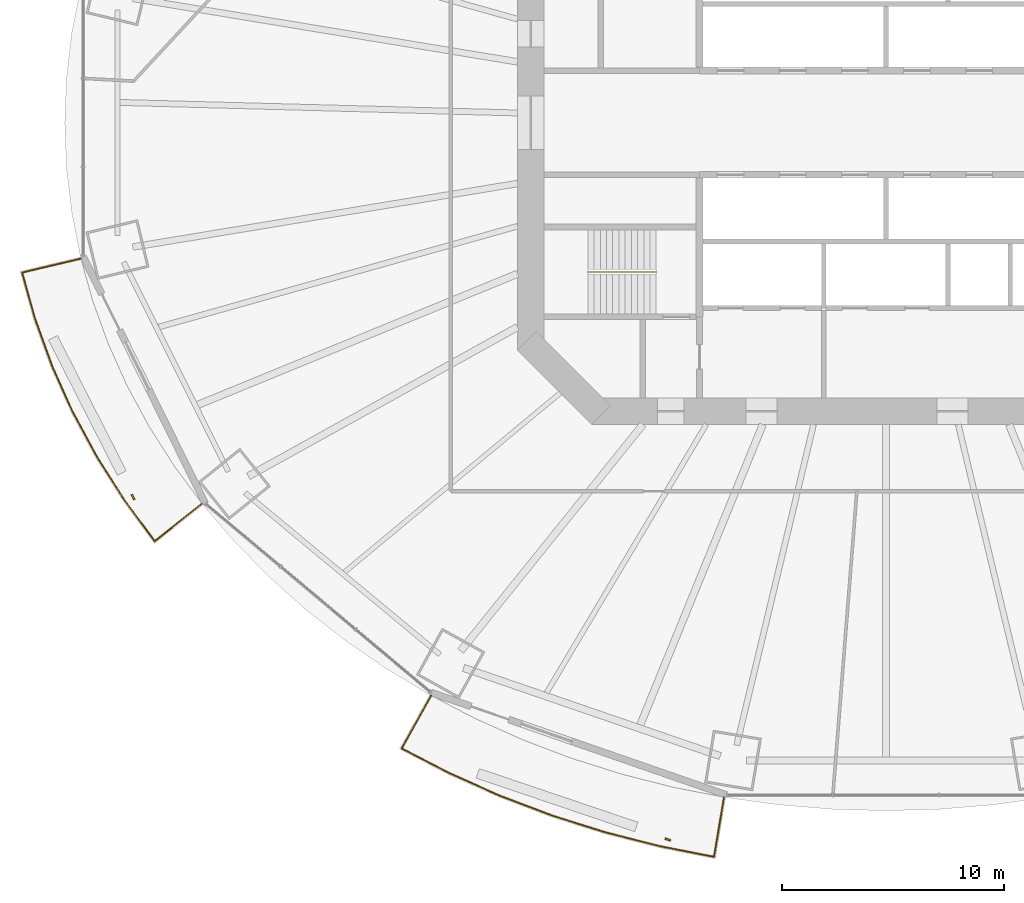
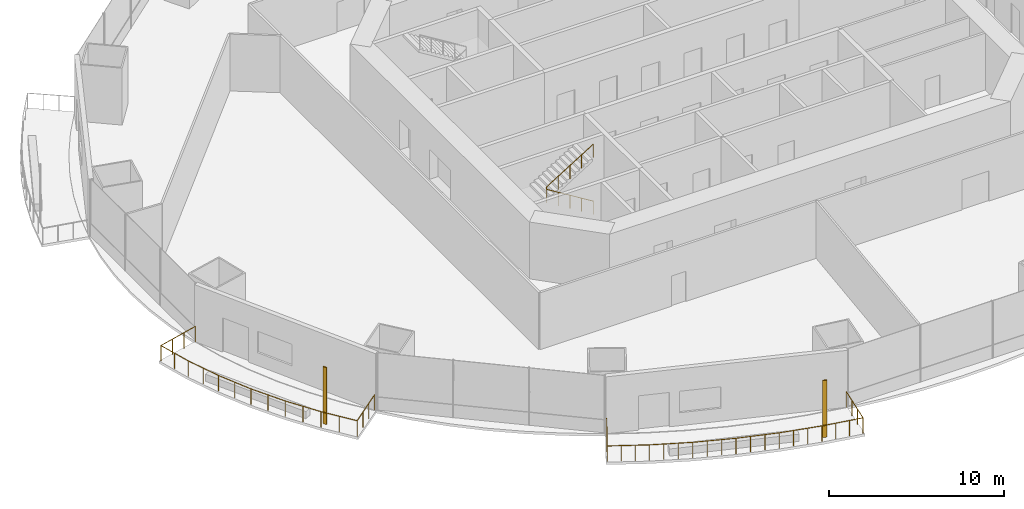
# One storey, part 18 of 23: 3 railings, 2 shading devices.
"""IFC4 building model written with IfcOpenShell, lengths in metres."""

from ifc_helpers import new_model, si_unit, direction, frame, origin, origin_2d, place, context, subcontext, project, spatial, rectangle, circle, extrude, material, material_profile, profile_set, type_object, element, save


model = new_model("IFC4")

# Units and contexts
model_context = context("Model", 3, precision=1e-05, world=origin(), true_north=direction((0.0, 1.0)))
body_context = subcontext(model_context, "Body", "Model", "MODEL_VIEW")
ifc_project = project(units=[si_unit("LENGTHUNIT", "METRE"), si_unit("AREAUNIT", "SQUARE_METRE"), si_unit("VOLUMEUNIT", "CUBIC_METRE"), si_unit("PLANEANGLEUNIT", "RADIAN"), si_unit("MASSUNIT", "GRAM", prefix="KILO")], contexts=[model_context])

# Site, building, storey
site_placement = place(None, origin())
site = spatial("IfcSite", under=ifc_project, at=site_placement, CompositionType="ELEMENT")
building_placement = place(site_placement, origin())
building = spatial("IfcBuilding", under=site, at=building_placement, Name="Marenthal Gate Tower", CompositionType="ELEMENT")
storey_placement = place(building_placement, frame((0.0, 0.0, 41.300048828125)))
storey = spatial("IfcBuildingStorey", under=building, at=storey_placement, Name="L06", CompositionType="ELEMENT", Elevation=41.300048828125)

# Railings
ifc_material_1 = material(Name="Stainless steel", Category="steel")
railing_type_1 = type_object("IfcRailingType", Name="Balcony guard 1100", PredefinedType="GUARDRAIL", material=ifc_material_1)
railing_1_placement = place(storey_placement, frame((-30.814208984375, -17.16015625, 0.0)))
element("IfcRailing", 1, at=railing_1_placement, inside=storey, type_object=railing_type_1, Name="Balcony guard L06 bay 9", PredefinedType="GUARDRAIL", context=body_context, shape_type="SweptSolid", body=[
    extrude(circle(Radius=0.02392578125, at=origin_2d()), frame((0.0, 0.0, 1.076171875), z_axis=(-0.781982350804, -0.623126760201, -0.014718823084), x_axis=(0.62319426943, -0.782067070365, 0.0)), (0.0, 0.0, 1.0), 2.72021484375),
    extrude(circle(Radius=0.02392578125, at=origin_2d()), frame((-2.127197265625, -1.695068359375, 1.0361328125), z_axis=(-0.59494792191, 0.803764250396, 0.0), x_axis=(-0.803764250396, -0.59494792191, 0.0)), (0.0, 0.0, 1.0), 2.25537109375),
    extrude(circle(Radius=0.02392578125, at=origin_2d()), frame((-3.468994140625, 0.11767578125, 1.0361328125), z_axis=(-0.537802777327, 0.843070680726, 0.0), x_axis=(-0.843070680726, -0.537802777327, 0.0)), (0.0, 0.0, 1.0), 2.316162109375),
    extrude(circle(Radius=0.02392578125, at=origin_2d()), frame((-4.714599609375, 2.0703125, 1.0361328125), z_axis=(-0.47570140033, 0.879606831331, 0.0), x_axis=(-0.879606831331, -0.47570140033, 0.0)), (0.0, 0.0, 1.0), 2.298828125),
    extrude(circle(Radius=0.02392578125, at=origin_2d()), frame((-5.80810546875, 4.09228515625, 1.0361328125), z_axis=(-0.40965760042, 0.912239360266, 0.0), x_axis=(-0.912239360266, -0.40965760042, 0.0)), (0.0, 0.0, 1.0), 2.283203125),
    extrude(circle(Radius=0.02392578125, at=origin_2d()), frame((-6.743408203125, 6.175048828125, 1.0361328125), z_axis=(-0.340490278663, 0.940248036497, 0.0), x_axis=(-0.940248036497, -0.340490278663, 0.0)), (0.0, 0.0, 1.0), 2.269287109375),
    extrude(circle(Radius=0.02392578125, at=origin_2d()), frame((-7.51611328125, 8.308837890625, 1.0361328125), z_axis=(-0.269417915844, 0.963023357257, 0.0), x_axis=(-0.963023357257, -0.269417915844, 0.0)), (0.0, 0.0, 1.0), 2.178466796875),
    extrude(circle(Radius=0.02392578125, at=origin_2d()), frame((-8.10302734375, 10.40673828125, 1.0361328125), z_axis=(0.972906523904, 0.230729884047, 0.014717892254), x_axis=(-0.230754878041, 0.973011914758, 0.0)), (0.0, 0.0, 1.0), 2.720458984375),
    extrude(circle(Radius=0.02099609375, at=origin_2d()), origin(), (0.0, 0.0, 1.0), 1.052001953125),
    extrude(circle(Radius=0.02099609375, at=origin_2d()), frame((-0.708984375, -0.56494140625, -0.013427734375)), (0.0, 0.0, 1.0), 1.052001953125),
    extrude(circle(Radius=0.02099609375, at=origin_2d()), frame((-1.418212890625, -1.130126953125, -0.026611328125)), (0.0, 0.0, 1.0), 1.052001953125),
    extrude(circle(Radius=0.02099609375, at=origin_2d()), frame((-2.127197265625, -1.695068359375, -0.0400390625)), (0.0, 0.0, 1.0), 1.052001953125),
    extrude(circle(Radius=0.02099609375, at=origin_2d()), frame((-2.798095703125, -0.78857421875, -0.0400390625)), (0.0, 0.0, 1.0), 1.052001953125),
    extrude(circle(Radius=0.02099609375, at=origin_2d()), frame((-3.468994140625, 0.11767578125, -0.0400390625)), (0.0, 0.0, 1.0), 1.052001953125),
    extrude(circle(Radius=0.02099609375, at=origin_2d()), frame((-4.091796875, 1.093994140625, -0.0400390625)), (0.0, 0.0, 1.0), 1.052001953125),
    extrude(circle(Radius=0.02099609375, at=origin_2d()), frame((-4.714599609375, 2.0703125, -0.0400390625)), (0.0, 0.0, 1.0), 1.052001953125),
    extrude(circle(Radius=0.02099609375, at=origin_2d()), frame((-5.26123046875, 3.081298828125, -0.0400390625)), (0.0, 0.0, 1.0), 1.052001953125),
    extrude(circle(Radius=0.02099609375, at=origin_2d()), frame((-5.80810546875, 4.09228515625, -0.0400390625)), (0.0, 0.0, 1.0), 1.052001953125),
    extrude(circle(Radius=0.02099609375, at=origin_2d()), frame((-6.27587890625, 5.1337890625, -0.0400390625)), (0.0, 0.0, 1.0), 1.052001953125),
    extrude(circle(Radius=0.02099609375, at=origin_2d()), frame((-6.743408203125, 6.175048828125, -0.0400390625)), (0.0, 0.0, 1.0), 1.052001953125),
    extrude(circle(Radius=0.02099609375, at=origin_2d()), frame((-7.1298828125, 7.241943359375, -0.0400390625)), (0.0, 0.0, 1.0), 1.052001953125),
    extrude(circle(Radius=0.02099609375, at=origin_2d()), frame((-7.51611328125, 8.308837890625, -0.0400390625)), (0.0, 0.0, 1.0), 1.052001953125),
    extrude(circle(Radius=0.02099609375, at=origin_2d()), frame((-7.8095703125, 9.35791015625, -0.0400390625)), (0.0, 0.0, 1.0), 1.052001953125),
    extrude(circle(Radius=0.02099609375, at=origin_2d()), frame((-8.10302734375, 10.40673828125, -0.0400390625)), (0.0, 0.0, 1.0), 1.052001953125),
    extrude(circle(Radius=0.02099609375, at=origin_2d()), frame((-7.220703125, 10.615966796875, -0.026611328125)), (0.0, 0.0, 1.0), 1.052001953125),
    extrude(circle(Radius=0.02099609375, at=origin_2d()), frame((-6.338623046875, 10.8251953125, -0.013427734375)), (0.0, 0.0, 1.0), 1.052001953125),
    extrude(circle(Radius=0.02099609375, at=origin_2d()), frame((-5.456298828125, 11.034423828125, 0.0)), (0.0, 0.0, 1.0), 1.052001953125),
])
railing_2_placement = place(storey_placement, frame((-7.297119140625, -30.39111328125, 0.0)))
element("IfcRailing", 2, at=railing_2_placement, inside=storey, type_object=railing_type_1, Name="Balcony guard L06 bay 11", PredefinedType="GUARDRAIL", context=body_context, shape_type="SweptSolid", body=[
    extrude(circle(Radius=0.02392578125, at=origin_2d()), frame((0.0, 0.0, 1.076171875), z_axis=(-0.164512163182, -0.986265227064, -0.014719036968), x_axis=(0.986372081632, -0.164529986862, 0.0)), (0.0, 0.0, 1.0), 2.72021484375),
    extrude(circle(Radius=0.02392578125, at=origin_2d()), frame((-0.447509765625, -2.682861328125, 1.0361328125), z_axis=(-0.981295113893, 0.192509478854, 0.0), x_axis=(-0.192509478854, -0.981295113893, 0.0)), (0.0, 0.0, 1.0), 2.474365234375),
    extrude(circle(Radius=0.02392578125, at=origin_2d()), frame((-2.87548828125, -2.20654296875, 1.0361328125), z_axis=(-0.969175134663, 0.246372803593, 0.0), x_axis=(-0.246372803593, -0.969175134663, 0.0)), (0.0, 0.0, 1.0), 2.543701171875),
    extrude(circle(Radius=0.02392578125, at=origin_2d()), frame((-5.3408203125, -1.579833984375, 1.0361328125), z_axis=(-0.953699220219, 0.300762027778, 0.0), x_axis=(-0.300762027778, -0.953699220219, 0.0)), (0.0, 0.0, 1.0), 2.531005859375),
    extrude(circle(Radius=0.02392578125, at=origin_2d()), frame((-7.754638671875, -0.818603515625, 1.0361328125), z_axis=(-0.934889862007, 0.354937946572, 0.0), x_axis=(-0.354937946572, -0.934889862007, 0.0)), (0.0, 0.0, 1.0), 2.51611328125),
    extrude(circle(Radius=0.02392578125, at=origin_2d()), frame((-10.10693359375, 0.074462890625, 1.0361328125), z_axis=(-0.912627469977, 0.4087922468, 0.0), x_axis=(-0.4087922468, -0.912627469977, 0.0)), (0.0, 0.0, 1.0), 2.499267578125),
    extrude(circle(Radius=0.02392578125, at=origin_2d()), frame((-12.387939453125, 1.09619140625, 1.0361328125), z_axis=(-0.887343289023, 0.461109409387, 0.0), x_axis=(-0.461109409387, -0.887343289023, 0.0)), (0.0, 0.0, 1.0), 2.401123046875),
    extrude(circle(Radius=0.02392578125, at=origin_2d()), frame((-14.5185546875, 2.203369140625, 1.0361328125), z_axis=(0.488673415611, 0.872342626214, 0.014718538138), x_axis=(-0.872437131701, 0.488726356184, 0.0)), (0.0, 0.0, 1.0), 2.72021484375),
    extrude(circle(Radius=0.02099609375, at=origin_2d()), origin(), (0.0, 0.0, 1.0), 1.052001953125),
    extrude(circle(Radius=0.02099609375, at=origin_2d()), frame((-0.149169921875, -0.894287109375, -0.013427734375)), (0.0, 0.0, 1.0), 1.052001953125),
    extrude(circle(Radius=0.02099609375, at=origin_2d()), frame((-0.29833984375, -1.78857421875, -0.026611328125)), (0.0, 0.0, 1.0), 1.052001953125),
    extrude(circle(Radius=0.02099609375, at=origin_2d()), frame((-0.447509765625, -2.682861328125, -0.0400390625)), (0.0, 0.0, 1.0), 1.052001953125),
    extrude(circle(Radius=0.02099609375, at=origin_2d()), frame((-1.2568359375, -2.524169921875, -0.0400390625)), (0.0, 0.0, 1.0), 1.052001953125),
    extrude(circle(Radius=0.02099609375, at=origin_2d()), frame((-2.066162109375, -2.365234375, -0.0400390625)), (0.0, 0.0, 1.0), 1.052001953125),
    extrude(circle(Radius=0.02099609375, at=origin_2d()), frame((-2.87548828125, -2.20654296875, -0.0400390625)), (0.0, 0.0, 1.0), 1.052001953125),
    extrude(circle(Radius=0.02099609375, at=origin_2d()), frame((-3.697265625, -1.99755859375, -0.0400390625)), (0.0, 0.0, 1.0), 1.052001953125),
    extrude(circle(Radius=0.02099609375, at=origin_2d()), frame((-4.51904296875, -1.788818359375, -0.0400390625)), (0.0, 0.0, 1.0), 1.052001953125),
    extrude(circle(Radius=0.02099609375, at=origin_2d()), frame((-5.3408203125, -1.579833984375, -0.0400390625)), (0.0, 0.0, 1.0), 1.052001953125),
    extrude(circle(Radius=0.02099609375, at=origin_2d()), frame((-6.1455078125, -1.326171875, -0.0400390625)), (0.0, 0.0, 1.0), 1.052001953125),
    extrude(circle(Radius=0.02099609375, at=origin_2d()), frame((-6.949951171875, -1.072265625, -0.0400390625)), (0.0, 0.0, 1.0), 1.052001953125),
    extrude(circle(Radius=0.02099609375, at=origin_2d()), frame((-7.754638671875, -0.818603515625, -0.0400390625)), (0.0, 0.0, 1.0), 1.052001953125),
    extrude(circle(Radius=0.02099609375, at=origin_2d()), frame((-8.538818359375, -0.52099609375, -0.0400390625)), (0.0, 0.0, 1.0), 1.052001953125),
    extrude(circle(Radius=0.02099609375, at=origin_2d()), frame((-9.32275390625, -0.22314453125, -0.0400390625)), (0.0, 0.0, 1.0), 1.052001953125),
    extrude(circle(Radius=0.02099609375, at=origin_2d()), frame((-10.10693359375, 0.074462890625, -0.0400390625)), (0.0, 0.0, 1.0), 1.052001953125),
    extrude(circle(Radius=0.02099609375, at=origin_2d()), frame((-10.8671875, 0.4150390625, -0.0400390625)), (0.0, 0.0, 1.0), 1.052001953125),
    extrude(circle(Radius=0.02099609375, at=origin_2d()), frame((-11.627685546875, 0.755615234375, -0.0400390625)), (0.0, 0.0, 1.0), 1.052001953125),
    extrude(circle(Radius=0.02099609375, at=origin_2d()), frame((-12.387939453125, 1.09619140625, -0.0400390625)), (0.0, 0.0, 1.0), 1.052001953125),
    extrude(circle(Radius=0.02099609375, at=origin_2d()), frame((-13.09814453125, 1.46533203125, -0.0400390625)), (0.0, 0.0, 1.0), 1.052001953125),
    extrude(circle(Radius=0.02099609375, at=origin_2d()), frame((-13.808349609375, 1.834228515625, -0.0400390625)), (0.0, 0.0, 1.0), 1.052001953125),
    extrude(circle(Radius=0.02099609375, at=origin_2d()), frame((-14.5185546875, 2.203369140625, -0.0400390625)), (0.0, 0.0, 1.0), 1.052001953125),
    extrude(circle(Radius=0.02099609375, at=origin_2d()), frame((-14.075439453125, 2.994384765625, -0.026611328125)), (0.0, 0.0, 1.0), 1.052001953125),
    extrude(circle(Radius=0.02099609375, at=origin_2d()), frame((-13.63232421875, 3.785400390625, -0.013427734375)), (0.0, 0.0, 1.0), 1.052001953125),
    extrude(circle(Radius=0.02099609375, at=origin_2d()), frame((-13.189208984375, 4.576416015625, 0.0)), (0.0, 0.0, 1.0), 1.052001953125),
])
ifc_material_2 = material(Name="Stainless steel", Category="steel")
railing_type_2 = type_object("IfcRailingType", Name="Stair handrail", PredefinedType="HANDRAIL", material=ifc_material_2)
railing_3_placement = place(storey_placement, frame((-10.35009765625, -6.72509765625, 0.1728515625)))
element("IfcRailing", 3, at=railing_3_placement, inside=storey, type_object=railing_type_2, Name="Handrail ST2", PredefinedType="HANDRAIL", context=body_context, shape_type="SweptSolid", body=[
    extrude(circle(Radius=0.0224609375, at=origin_2d()), frame((0.0, 0.0, 0.927490234375), z_axis=(-0.850816621229, 0.0, 0.525462726595), x_axis=(0.0, -1.0, 0.0)), (0.0, 0.0, 1.0), 3.619873046875),
    extrude(circle(Radius=0.0224609375, at=origin_2d()), frame((-3.079833984375, 0.0, 2.82958984375), z_axis=(0.0, 0.0, 1.0), x_axis=(1.0, 0.0, 0.0)), (0.0, 0.0, 1.0), 0.1728515625),
    extrude(circle(Radius=0.0224609375, at=origin_2d()), frame((-3.079833984375, 0.0, 3.00244140625), z_axis=(0.850816621229, 0.0, 0.525462726595), x_axis=(0.0, 1.0, 0.0)), (0.0, 0.0, 1.0), 3.619873046875),
    extrude(circle(Radius=0.02001953125, at=origin_2d()), origin(), (0.0, 0.0, 1.0), 0.905029296875),
    extrude(circle(Radius=0.02001953125, at=origin_2d()), frame((-0.77001953125, 0.0, 0.4755859375)), (0.0, 0.0, 1.0), 0.905029296875),
    extrude(circle(Radius=0.02001953125, at=origin_2d()), frame((-1.5400390625, 0.0, 0.951171875)), (0.0, 0.0, 1.0), 0.905029296875),
    extrude(circle(Radius=0.02001953125, at=origin_2d()), frame((-2.309814453125, 0.0, 1.426513671875)), (0.0, 0.0, 1.0), 0.905029296875),
    extrude(circle(Radius=0.02001953125, at=origin_2d()), frame((-3.079833984375, 0.0, 1.902099609375)), (0.0, 0.0, 1.0), 0.905029296875),
    extrude(circle(Radius=0.02001953125, at=origin_2d()), frame((-3.079833984375, 0.0, 2.074951171875)), (0.0, 0.0, 1.0), 0.905029296875),
    extrude(circle(Radius=0.02001953125, at=origin_2d()), frame((-2.309814453125, 0.0, 2.550537109375)), (0.0, 0.0, 1.0), 0.905029296875),
    extrude(circle(Radius=0.02001953125, at=origin_2d()), frame((-1.5400390625, 0.0, 3.02587890625)), (0.0, 0.0, 1.0), 0.905029296875),
    extrude(circle(Radius=0.02001953125, at=origin_2d()), frame((-0.77001953125, 0.0, 3.50146484375)), (0.0, 0.0, 1.0), 0.905029296875),
    extrude(circle(Radius=0.02001953125, at=origin_2d()), frame((0.0, 0.0, 3.97705078125)), (0.0, 0.0, 1.0), 0.905029296875),
])

# Shading devices
ifc_material_3 = material(Name="Terracotta", Category="masonry")
ifc_material_profile = material_profile(ifc_material_3, rectangle(XDim=0.25, YDim=0.080078125, at=origin_2d()), Name="Terracotta baguette 250x80")
ifc_profile_set = profile_set([ifc_material_profile], Name="Terracotta")
shading_device_type = type_object("IfcShadingDeviceType", Name="Terracotta BAGUETTE SCREEN 250x80", PredefinedType="USERDEFINED", material=ifc_profile_set)
for number, where, z_axis, x_axis, name in (
    (4, (-33.922119140625, -16.865234375, -0.0400390625), (0.0, 0.0, 1.0), (0.443119622411, -0.896462492374, 0.0), "Terracotta BAGUETTE L06 bay 9R"),
    (5, (-9.830078125, -32.298095703125, -0.0400390625), (0.0, 0.0, 1.0), (0.944708230663, -0.327912120725, 0.0), "Terracotta BAGUETTE L06 bay 11R"),
):
    element("IfcShadingDevice", number, at=place(storey_placement, frame(where, z_axis=z_axis, x_axis=x_axis)), inside=storey, type_object=shading_device_type, Name=name, ObjectType="BAGUETTE SCREEN", PredefinedType="USERDEFINED", context=body_context, shape_type="SweptSolid", body=[
        extrude(rectangle(XDim=0.25, YDim=0.080078125, at=origin_2d()), origin(), (0.0, 0.0, 1.0), 3.969970703125),
    ])

save(model, "model.ifc")
